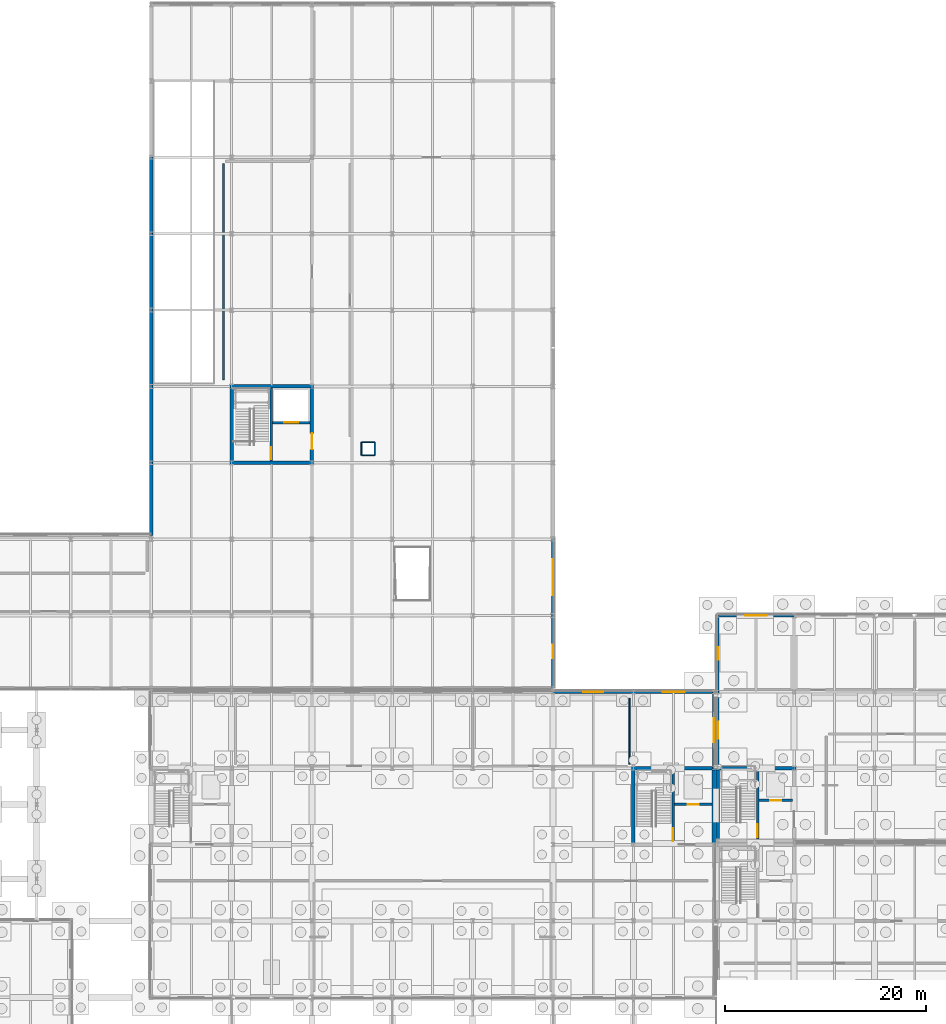
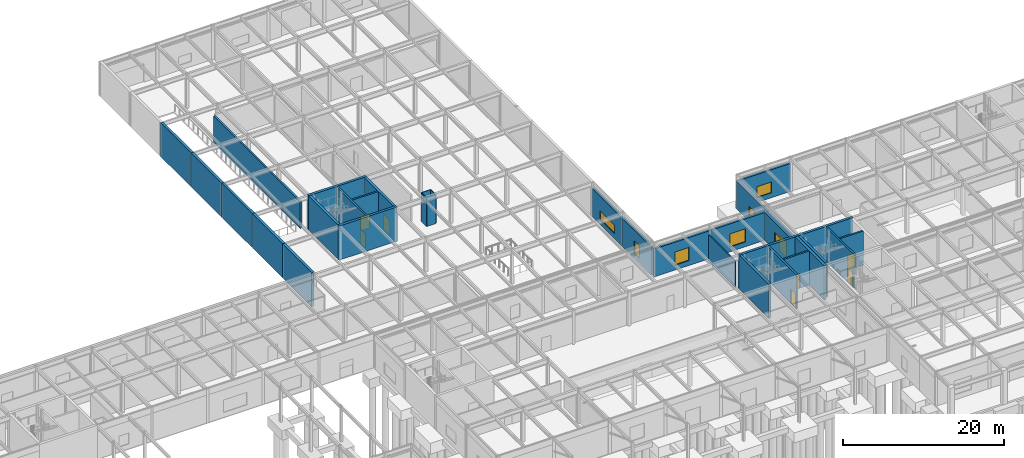
# One storey, part 45 of 62: 34 walls, 9 doors, 6 windows, 15 openings.
"""IFC4 building model written with IfcOpenShell, lengths in metres."""

from ifc_helpers import new_model, si_unit, direction, frame, frame_2d, origin, place, context, subcontext, project, spatial, rectangle, extrude, material, layer, layer_set, type_object, element, fill, save


model = new_model("IFC4")

# Units and contexts
model_context = context("Model", 3, precision=1e-05, world=origin(), true_north=direction((0.0, 1.0)))
body_context = subcontext(model_context, "Body", "Model", "MODEL_VIEW")
ifc_project = project(units=[si_unit("LENGTHUNIT", "METRE"), si_unit("AREAUNIT", "SQUARE_METRE"), si_unit("VOLUMEUNIT", "CUBIC_METRE"), si_unit("PLANEANGLEUNIT", "RADIAN"), si_unit("MASSUNIT", "GRAM", prefix="KILO")], contexts=[model_context])

# Site, building, storey
site_placement = place(None, origin())
site = spatial("IfcSite", under=ifc_project, at=site_placement, CompositionType="ELEMENT")
building_placement = place(site_placement, origin())
building = spatial("IfcBuilding", under=site, at=building_placement, Name="Zulena Civic Courthouse", CompositionType="ELEMENT")
storey_placement = place(building_placement, origin())
storey = spatial("IfcBuildingStorey", under=building, at=storey_placement, Name="L00", CompositionType="ELEMENT", Elevation=0.0)

# Wall, opening, door
ifc_material_1 = material(Name="Concrete C40/50", Category="concrete")
ifc_layer_1 = layer(ifc_material_1, 0.25)
ifc_layer_set_1 = layer_set([ifc_layer_1], Name="Concrete C40/50")
wall_type_1 = type_object("IfcWallType", Name="CoreShearWall_RC250", PredefinedType="SHEAR", material=ifc_layer_set_1)
wall_1_placement = place(storey_placement, frame((128.35009765625, 30.97509765625, 0.0), z_axis=(0.0, 0.0, 1.0), x_axis=(0.0, 1.0, 0.0)))
wall_1 = element("IfcWall", 1, at=wall_1_placement, inside=storey, type_object=wall_type_1, Name="cwall:K3A:L00:DIV", PredefinedType="SHEAR", context=body_context, shape_type="SweptSolid", body=[
    extrude(rectangle(XDim=6.849853515625, YDim=0.25, at=frame_2d((3.4248046875, 0.0))), origin(), (0.0, 0.0, 1.0), 5.18994140625),
])
opening_1_placement = place(wall_1_placement, frame((0.179931640625, 0.0, 0.0)))
opening_1 = element("IfcOpeningElement", 2, at=opening_1_placement, cuts=wall_1, Name="Opening ID06", PredefinedType="OPENING", context=body_context, shape_type="SweptSolid", body=[
    extrude(rectangle(XDim=1.25, YDim=2.199951171875, at=frame_2d((0.625, 1.10009765625))), frame((0.0, 0.135009765625, 0.0), z_axis=(0.0, -1.0, 0.0), x_axis=(1.0, 0.0, 0.0)), (0.0, 0.0, 1.0), 0.27001953125),
])
ifc_material_2 = material(Name="Fire-rated galvanised steel ASTM A653 Grade 50", Category="steel")
door_type_1 = type_object("IfcDoorType", Name="IntDoor_Stair_1250x2200", OperationType="NOTDEFINED", PredefinedType="DOOR", material=ifc_material_2)
door_1_placement = place(opening_1_placement, origin())
door_1 = element("IfcDoor", 3, at=door_1_placement, inside=storey, type_object=door_type_1, Name="door:stair:K3A:L00", OperationType="SINGLE_SWING_LEFT", OverallHeight=2.199951171875, OverallWidth=1.25, PredefinedType="DOOR", context=body_context, shape_type="SweptSolid", body=[
    extrude(rectangle(XDim=1.25, YDim=2.199951171875, at=frame_2d((0.625, 1.10009765625))), frame((0.0, 0.02490234375, 0.0), z_axis=(0.0, -1.0, 0.0), x_axis=(1.0, 0.0, 0.0)), (0.0, 0.0, 1.0), 0.050048828125),
])
fill(opening_1, door_1)

wall_2_placement = place(storey_placement, frame((128.47509765625, 34.800048828125, 0.0), z_axis=(0.0, 0.0, 1.0), x_axis=(1.0, 0.0, 0.0)))
wall_2 = element("IfcWall", 4, at=wall_2_placement, inside=storey, type_object=wall_type_1, Name="cwall:K3A:L00:SHF", PredefinedType="SHEAR", context=body_context, shape_type="SweptSolid", body=[
    extrude(rectangle(XDim=3.349853515625, YDim=0.25, at=frame_2d((1.6748046875, 0.0))), origin(), (0.0, 0.0, 1.0), 5.18994140625),
])
opening_2_placement = place(wall_2_placement, frame((1.1201171875, 0.0, 0.0)))
opening_2 = element("IfcOpeningElement", 5, at=opening_2_placement, cuts=wall_2, Name="Opening LD02", PredefinedType="OPENING", context=body_context, shape_type="SweptSolid", body=[
    extrude(rectangle(XDim=1.10009765625, YDim=2.199951171875, at=frame_2d((0.550048828125, 1.10009765625))), frame((0.0, 0.135009765625, 0.0), z_axis=(0.0, -1.0, 0.0), x_axis=(1.0, 0.0, 0.0)), (0.0, 0.0, 1.0), 0.27001953125),
])
door_type_2 = type_object("IfcDoorType", Name="LiftLandingDoor_Pass_1100x2200", OperationType="SLIDING_TO_LEFT", PredefinedType="DOOR", material=ifc_material_2)
door_2_placement = place(opening_2_placement, origin())
door_2 = element("IfcDoor", 6, at=door_2_placement, inside=storey, type_object=door_type_2, Name="door:ld:PL-02:L00", OperationType="SLIDING_TO_LEFT", OverallHeight=2.199951171875, OverallWidth=1.10009765625, PredefinedType="DOOR", context=body_context, shape_type="SweptSolid", body=[
    extrude(rectangle(XDim=1.10009765625, YDim=2.199951171875, at=frame_2d((0.550048828125, 1.10009765625))), frame((0.0, 0.02490234375, 0.0), z_axis=(0.0, -1.0, 0.0), x_axis=(1.0, 0.0, 0.0)), (0.0, 0.0, 1.0), 0.050048828125),
])
fill(opening_2, door_2)

wall_3_placement = place(storey_placement, frame((119.949951171875, 30.574951171875, 0.0), z_axis=(0.0, 0.0, 1.0), x_axis=(0.0, 1.0, 0.0)))
wall_3 = element("IfcWall", 7, at=wall_3_placement, inside=storey, type_object=wall_type_1, Name="cwall:K4B:L00:DIV", PredefinedType="SHEAR", context=body_context, shape_type="SweptSolid", body=[
    extrude(rectangle(XDim=7.25, YDim=0.25, at=frame_2d((3.625, 0.0))), origin(), (0.0, 0.0, 1.0), 5.18994140625),
])
opening_3_placement = place(wall_3_placement, frame((0.179931640625, 0.0, 0.0)))
opening_3 = element("IfcOpeningElement", 8, at=opening_3_placement, cuts=wall_3, Name="Opening ID06", PredefinedType="OPENING", context=body_context, shape_type="SweptSolid", body=[
    extrude(rectangle(XDim=1.25, YDim=2.199951171875, at=frame_2d((0.625, 1.10009765625))), frame((0.0, 0.135009765625, 0.0), z_axis=(0.0, -1.0, 0.0), x_axis=(1.0, 0.0, 0.0)), (0.0, 0.0, 1.0), 0.27001953125),
])
door_3_placement = place(opening_3_placement, origin())
door_3 = element("IfcDoor", 9, at=door_3_placement, inside=storey, type_object=door_type_1, Name="door:stair:K4B:L00", OperationType="SINGLE_SWING_RIGHT", OverallHeight=2.199951171875, OverallWidth=1.25, PredefinedType="DOOR", context=body_context, shape_type="SweptSolid", body=[
    extrude(rectangle(XDim=1.25, YDim=2.199951171875, at=frame_2d((0.625, 1.10009765625))), frame((0.0, 0.02490234375, 0.0), z_axis=(0.0, -1.0, 0.0), x_axis=(1.0, 0.0, 0.0)), (0.0, 0.0, 1.0), 0.050048828125),
])
fill(opening_3, door_3)

wall_4_placement = place(storey_placement, frame((120.074951171875, 34.39990234375, 0.0), z_axis=(0.0, 0.0, 1.0), x_axis=(1.0, 0.0, 0.0)))
wall_4 = element("IfcWall", 10, at=wall_4_placement, inside=storey, type_object=wall_type_1, Name="cwall:K4B:L00:SHF", PredefinedType="SHEAR", context=body_context, shape_type="SweptSolid", body=[
    extrude(rectangle(XDim=3.75, YDim=0.25, at=frame_2d((1.875, 0.0))), origin(), (0.0, 0.0, 1.0), 5.18994140625),
])
opening_4_placement = place(wall_4_placement, frame((1.320068359375, 0.0, 0.0)))
opening_4 = element("IfcOpeningElement", 11, at=opening_4_placement, cuts=wall_4, Name="Opening LD02", PredefinedType="OPENING", context=body_context, shape_type="SweptSolid", body=[
    extrude(rectangle(XDim=1.10009765625, YDim=2.199951171875, at=frame_2d((0.550048828125, 1.10009765625))), frame((0.0, 0.135009765625, 0.0), z_axis=(0.0, -1.0, 0.0), x_axis=(1.0, 0.0, 0.0)), (0.0, 0.0, 1.0), 0.27001953125),
])
door_4_placement = place(opening_4_placement, origin())
door_4 = element("IfcDoor", 12, at=door_4_placement, inside=storey, type_object=door_type_2, Name="door:ld:PL-04:L00", OperationType="SLIDING_TO_LEFT", OverallHeight=2.199951171875, OverallWidth=1.10009765625, PredefinedType="DOOR", context=body_context, shape_type="SweptSolid", body=[
    extrude(rectangle(XDim=1.10009765625, YDim=2.199951171875, at=frame_2d((0.550048828125, 1.10009765625))), frame((0.0, 0.02490234375, 0.0), z_axis=(0.0, -1.0, 0.0), x_axis=(1.0, 0.0, 0.0)), (0.0, 0.0, 1.0), 0.050048828125),
])
fill(opening_4, door_4)

wall_5_placement = place(storey_placement, frame((79.949951171875, 68.574951171875, 0.0), z_axis=(0.0, 0.0, 1.0), x_axis=(0.0, 1.0, 0.0)))
wall_5 = element("IfcWall", 13, at=wall_5_placement, inside=storey, type_object=wall_type_1, Name="cwall:K5B:L00:DIV", PredefinedType="SHEAR", context=body_context, shape_type="SweptSolid", body=[
    extrude(rectangle(XDim=7.25, YDim=0.25, at=frame_2d((3.625, 0.0))), origin(), (0.0, 0.0, 1.0), 5.18994140625),
])
opening_5_placement = place(wall_5_placement, frame((0.179931640625, 0.0, 0.0)))
opening_5 = element("IfcOpeningElement", 14, at=opening_5_placement, cuts=wall_5, Name="Opening ID07", PredefinedType="OPENING", context=body_context, shape_type="SweptSolid", body=[
    extrude(rectangle(XDim=1.199951171875, YDim=2.199951171875, at=frame_2d((0.60009765625, 1.10009765625))), frame((0.0, 0.135009765625, 0.0), z_axis=(0.0, -1.0, 0.0), x_axis=(1.0, 0.0, 0.0)), (0.0, 0.0, 1.0), 0.27001953125),
])
door_type_3 = type_object("IfcDoorType", Name="IntDoor_Stair_1200x2200", OperationType="NOTDEFINED", PredefinedType="DOOR", material=ifc_material_2)
door_5_placement = place(opening_5_placement, origin())
door_5 = element("IfcDoor", 15, at=door_5_placement, inside=storey, type_object=door_type_3, Name="door:stair:K5B:L00", OperationType="SINGLE_SWING_LEFT", OverallHeight=2.199951171875, OverallWidth=1.199951171875, PredefinedType="DOOR", context=body_context, shape_type="SweptSolid", body=[
    extrude(rectangle(XDim=1.199951171875, YDim=2.199951171875, at=frame_2d((0.60009765625, 1.10009765625))), frame((0.0, 0.02490234375, 0.0), z_axis=(0.0, -1.0, 0.0), x_axis=(1.0, 0.0, 0.0)), (0.0, 0.0, 1.0), 0.050048828125),
])
fill(opening_5, door_5)

wall_6_placement = place(storey_placement, frame((80.074951171875, 72.39990234375, 0.0), z_axis=(0.0, 0.0, 1.0), x_axis=(1.0, 0.0, 0.0)))
wall_6 = element("IfcWall", 16, at=wall_6_placement, inside=storey, type_object=wall_type_1, Name="cwall:K5B:L00:SHF", PredefinedType="SHEAR", context=body_context, shape_type="SweptSolid", body=[
    extrude(rectangle(XDim=3.75, YDim=0.25, at=frame_2d((1.875, 0.0))), origin(), (0.0, 0.0, 1.0), 5.18994140625),
])
opening_6_placement = place(wall_6_placement, frame((1.195068359375, 0.0, 0.0)))
opening_6 = element("IfcOpeningElement", 17, at=opening_6_placement, cuts=wall_6, Name="Opening LD04", PredefinedType="OPENING", context=body_context, shape_type="SweptSolid", body=[
    extrude(rectangle(XDim=1.35009765625, YDim=2.199951171875, at=frame_2d((0.675048828125, 1.10009765625))), frame((0.0, 0.135009765625, 0.0), z_axis=(0.0, -1.0, 0.0), x_axis=(1.0, 0.0, 0.0)), (0.0, 0.0, 1.0), 0.27001953125),
])
door_type_4 = type_object("IfcDoorType", Name="LiftLandingDoor_Goods_1350x2300", OperationType="DOUBLE_DOOR_SLIDING", PredefinedType="DOOR", material=ifc_material_2)
door_6_placement = place(opening_6_placement, origin())
door_6 = element("IfcDoor", 18, at=door_6_placement, inside=storey, type_object=door_type_4, Name="door:ld:CL-02:L00", OperationType="DOUBLE_DOOR_SLIDING", OverallHeight=2.199951171875, OverallWidth=1.35009765625, PredefinedType="DOOR", context=body_context, shape_type="SweptSolid", body=[
    extrude(rectangle(XDim=1.35009765625, YDim=2.199951171875, at=frame_2d((0.675048828125, 1.10009765625))), frame((0.0, 0.02490234375, 0.0), z_axis=(0.0, -1.0, 0.0), x_axis=(1.0, 0.0, 0.0)), (0.0, 0.0, 1.0), 0.050048828125),
])
fill(opening_6, door_6)

# Walls
ifc_layer_2 = layer(ifc_material_1, 0.35009765625)
ifc_layer_set_2 = layer_set([ifc_layer_2], Name="Concrete C40/50")
wall_type_2 = type_object("IfcWallType", Name="CoreShearWall_RC350", PredefinedType="SHEAR", material=ifc_layer_set_2)
wall_7_placement = place(storey_placement, frame((124.22509765625, 38.0, 0.0), z_axis=(0.0, 0.0, 1.0), x_axis=(1.0, 0.0, 0.0)))
element("IfcWall", 19, at=wall_7_placement, inside=storey, type_object=wall_type_2, Name="cwall:K3A:L00:N", PredefinedType="SHEAR", context=body_context, shape_type="SweptSolid", body=[
    extrude(rectangle(XDim=7.949951171875, YDim=0.35009765625, at=frame_2d((3.97509765625, 0.0))), origin(), (0.0, 0.0, 1.0), 5.18994140625),
])
wall_8_placement = place(storey_placement, frame((124.39990234375, 30.97509765625, 0.0), z_axis=(0.0, 0.0, 1.0), x_axis=(0.0, 1.0, 0.0)))
element("IfcWall", 20, at=wall_8_placement, inside=storey, type_object=wall_type_2, Name="cwall:K3A:L00:W", PredefinedType="SHEAR", context=body_context, shape_type="SweptSolid", body=[
    extrude(rectangle(XDim=6.849853515625, YDim=0.35009765625, at=frame_2d((3.4248046875, 0.0))), origin(), (0.0, 0.0, 1.0), 5.18994140625),
])
wall_9_placement = place(storey_placement, frame((115.824951171875, 38.0, 0.0), z_axis=(0.0, 0.0, 1.0), x_axis=(1.0, 0.0, 0.0)))
element("IfcWall", 21, at=wall_9_placement, inside=storey, type_object=wall_type_2, Name="cwall:K4B:L00:N", PredefinedType="SHEAR", context=body_context, shape_type="SweptSolid", body=[
    extrude(rectangle(XDim=8.35009765625, YDim=0.35009765625, at=frame_2d((4.175048828125, 0.0))), origin(), (0.0, 0.0, 1.0), 5.18994140625),
])
for number, where, z_axis, x_axis, name in (
    (22, (116.0, 30.574951171875, 0.0), (0.0, 0.0, 1.0), (0.0, 1.0, 0.0), "cwall:K4B:L00:W"),
    (23, (124.0, 30.574951171875, 0.0), (0.0, 0.0, 1.0), (0.0, 1.0, 0.0), "cwall:K4B:L00:E"),
):
    element("IfcWall", number, at=place(storey_placement, frame(where, z_axis=z_axis, x_axis=x_axis)), inside=storey, type_object=wall_type_2, Name=name, PredefinedType="SHEAR", context=body_context, shape_type="SweptSolid", body=[
        extrude(rectangle(XDim=7.25, YDim=0.35009765625, at=frame_2d((3.625, 0.0))), origin(), (0.0, 0.0, 1.0), 5.18994140625),
    ])
for number, where, z_axis, x_axis, name in (
    (24, (75.824951171875, 68.39990234375, 0.0), (0.0, 0.0, 1.0), (1.0, 0.0, 0.0), "cwall:K5B:L00:S"),
    (25, (75.824951171875, 76.0, 0.0), (0.0, 0.0, 1.0), (1.0, 0.0, 0.0), "cwall:K5B:L00:N"),
):
    element("IfcWall", number, at=place(storey_placement, frame(where, z_axis=z_axis, x_axis=x_axis)), inside=storey, type_object=wall_type_2, Name=name, PredefinedType="SHEAR", context=body_context, shape_type="SweptSolid", body=[
        extrude(rectangle(XDim=8.35009765625, YDim=0.35009765625, at=frame_2d((4.175048828125, 0.0))), origin(), (0.0, 0.0, 1.0), 5.18994140625),
    ])
wall_10_placement = place(storey_placement, frame((76.0, 68.574951171875, 0.0), z_axis=(0.0, 0.0, 1.0), x_axis=(0.0, 1.0, 0.0)))
element("IfcWall", 26, at=wall_10_placement, inside=storey, type_object=wall_type_2, Name="cwall:K5B:L00:W", PredefinedType="SHEAR", context=body_context, shape_type="SweptSolid", body=[
    extrude(rectangle(XDim=7.25, YDim=0.35009765625, at=frame_2d((3.625, 0.0))), origin(), (0.0, 0.0, 1.0), 5.18994140625),
])

# Wall, opening, door
wall_11_placement = place(storey_placement, frame((84.0, 68.574951171875, 0.0), z_axis=(0.0, 0.0, 1.0), x_axis=(0.0, 1.0, 0.0)))
wall_11 = element("IfcWall", 27, at=wall_11_placement, inside=storey, type_object=wall_type_2, Name="cwall:K5B:L00:E", PredefinedType="SHEAR", context=body_context, shape_type="SweptSolid", body=[
    extrude(rectangle(XDim=7.25, YDim=0.35009765625, at=frame_2d((3.625, 0.0))), origin(), (0.0, 0.0, 1.0), 5.18994140625),
])
opening_7_placement = place(wall_11_placement, frame((1.14990234375, 0.0, 0.0)))
opening_7 = element("IfcOpeningElement", 28, at=opening_7_placement, cuts=wall_11, Name="Opening ID04", PredefinedType="OPENING", context=body_context, shape_type="SweptSolid", body=[
    extrude(rectangle(XDim=1.60009765625, YDim=2.35009765625, at=frame_2d((0.800048828125, 1.175048828125))), frame((0.0, 0.18505859375, 0.0), z_axis=(0.0, -1.0, 0.0), x_axis=(1.0, 0.0, 0.0)), (0.0, 0.0, 1.0), 0.3701171875),
])
ifc_material_3 = material(Name="Solid-core acoustic hardwood timber", Category="wood")
door_type_5 = type_object("IfcDoorType", Name="IntDoor_CourtPublic_1600x2350", OperationType="DOUBLE_DOOR_SINGLE_SWING", PredefinedType="DOOR", material=ifc_material_3)
door_7_placement = place(opening_7_placement, origin())
door_7 = element("IfcDoor", 29, at=door_7_placement, inside=storey, type_object=door_type_5, Name="door:corelob:K5B:L00", OperationType="DOUBLE_DOOR_SINGLE_SWING", OverallHeight=2.35009765625, OverallWidth=1.60009765625, PredefinedType="DOOR", context=body_context, shape_type="SweptSolid", body=[
    extrude(rectangle(XDim=1.60009765625, YDim=2.35009765625, at=frame_2d((0.800048828125, 1.175048828125))), frame((0.0, 0.02490234375, 0.0), z_axis=(0.0, -1.0, 0.0), x_axis=(1.0, 0.0, 0.0)), (0.0, 0.0, 1.0), 0.050048828125),
])
fill(opening_7, door_7)

# Wall, opening, window
ifc_material_4 = material(Name="Buff architectural precast concrete C40/50", Category="concrete")
ifc_layer_3 = layer(ifc_material_4, 0.264892578125)
ifc_layer_set_3 = layer_set([ifc_layer_3], Name="Buff architectural precast concrete C40/50")
wall_type_3 = type_object("IfcWallType", Name="ExtWall_BuffPrecast_265", PredefinedType="STANDARD", material=ifc_layer_set_3)
wall_12_placement = place(storey_placement, frame((108.0, 60.820068359375, 0.0), z_axis=(0.0, 0.0, 1.0), x_axis=(0.0, -1.0, 0.0)))
wall_12 = element("IfcWall", 30, at=wall_12_placement, inside=storey, type_object=wall_type_3, Name="ewall:V5:L00:4:7", PredefinedType="STANDARD", context=body_context, shape_type="SweptSolid", body=[
    extrude(rectangle(XDim=7.64013671875, YDim=0.264892578125, at=frame_2d((3.820068359375, 0.0))), origin(), (0.0, 0.0, 1.0), 4.25),
])
opening_8_placement = place(wall_12_placement, frame((2.02001953125, 0.0, 0.75)))
opening_8 = element("IfcOpeningElement", 31, at=opening_8_placement, cuts=wall_12, Name="Opening WN34", PredefinedType="OPENING", context=body_context, shape_type="SweptSolid", body=[
    extrude(rectangle(XDim=3.60009765625, YDim=1.300048828125, at=frame_2d((1.800048828125, 0.64990234375))), frame((0.0, 0.142333984375, 0.0), z_axis=(0.0, -1.0, 0.0), x_axis=(1.0, 0.0, 0.0)), (0.0, 0.0, 1.0), 0.284912109375),
])
ifc_material_5 = material(Name="Double-silver low-E laminated solar-control glass", Category="glass")
window_type_1 = type_object("IfcWindowType", Name="Win_3600x1300", PartitioningType="DOUBLE_PANEL_VERTICAL", PredefinedType="WINDOW", material=ifc_material_5)
window_1_placement = place(opening_8_placement, origin())
window_1 = element("IfcWindow", 32, at=window_1_placement, inside=storey, type_object=window_type_1, Name="win:V5:L00:4:7", OverallHeight=1.300048828125, OverallWidth=3.60009765625, PartitioningType="SINGLE_PANEL", PredefinedType="WINDOW", context=body_context, shape_type="SweptSolid", body=[
    extrude(rectangle(XDim=3.60009765625, YDim=1.300048828125, at=frame_2d((1.800048828125, 0.64990234375))), frame((0.0, 0.030029296875, 0.0), z_axis=(0.0, -1.0, 0.0), x_axis=(1.0, 0.0, 0.0)), (0.0, 0.0, 1.0), 0.06005859375),
])
fill(opening_8, window_1)

wall_13_placement = place(storey_placement, frame((108.0, 53.219970703125, 0.0), z_axis=(0.0, 0.0, 1.0), x_axis=(0.0, -1.0, 0.0)))
wall_13 = element("IfcWall", 33, at=wall_13_placement, inside=storey, type_object=wall_type_3, Name="ewall:V5:L00:4:8", PredefinedType="STANDARD", context=body_context, shape_type="SweptSolid", body=[
    extrude(rectangle(XDim=7.239990234375, YDim=0.264892578125, at=frame_2d((3.6201171875, 0.0))), origin(), (0.0, 0.0, 1.0), 4.25),
])
opening_9_placement = place(wall_13_placement, frame((2.945068359375, 0.0, 0.75)))
opening_9 = element("IfcOpeningElement", 34, at=opening_9_placement, cuts=wall_13, Name="Opening WN35", PredefinedType="OPENING", context=body_context, shape_type="SweptSolid", body=[
    extrude(rectangle(XDim=1.35009765625, YDim=1.89990234375, at=frame_2d((0.675048828125, 0.949951171875))), frame((0.0, 0.142333984375, 0.0), z_axis=(0.0, -1.0, 0.0), x_axis=(1.0, 0.0, 0.0)), (0.0, 0.0, 1.0), 0.284912109375),
])
window_type_2 = type_object("IfcWindowType", Name="Win_1350x1900", PartitioningType="SINGLE_PANEL", PredefinedType="WINDOW", material=ifc_material_5)
window_2_placement = place(opening_9_placement, origin())
window_2 = element("IfcWindow", 35, at=window_2_placement, inside=storey, type_object=window_type_2, Name="win:V5:L00:4:8", OverallHeight=1.89990234375, OverallWidth=1.35009765625, PartitioningType="SINGLE_PANEL", PredefinedType="WINDOW", context=body_context, shape_type="SweptSolid", body=[
    extrude(rectangle(XDim=1.35009765625, YDim=1.89990234375, at=frame_2d((0.675048828125, 0.949951171875))), frame((0.0, 0.030029296875, 0.0), z_axis=(0.0, -1.0, 0.0), x_axis=(1.0, 0.0, 0.0)), (0.0, 0.0, 1.0), 0.06005859375),
])
fill(opening_9, window_2)

# Walls
ifc_layer_4 = layer(ifc_material_1, 0.360107421875)
ifc_layer_set_4 = layer_set([ifc_layer_4], Name="Concrete C40/50")
wall_type_4 = type_object("IfcWallType", Name="ExtWall_PartyWall_360", PredefinedType="STANDARD", material=ifc_layer_set_4)
wall_14_placement = place(storey_placement, frame((68.0, 61.179931640625, 0.0), z_axis=(0.0, 0.0, 1.0), x_axis=(0.0, 1.0, 0.0)))
element("IfcWall", 36, at=wall_14_placement, inside=storey, type_object=wall_type_4, Name="ewall:V5:L00:2:0", PredefinedType="STANDARD", context=body_context, shape_type="SweptSolid", body=[
    extrude(rectangle(XDim=7.239990234375, YDim=0.360107421875, at=frame_2d((3.6201171875, 0.0))), origin(), (0.0, 0.0, 1.0), 5.18994140625),
])
for number, where, z_axis, x_axis, name in (
    (37, (68.0, 68.3798828125, 0.0), (0.0, 0.0, 1.0), (0.0, 1.0, 0.0), "ewall:V5:L00:2:1"),
    (38, (68.0, 75.97998046875, 0.0), (0.0, 0.0, 1.0), (0.0, 1.0, 0.0), "ewall:V5:L00:2:2"),
):
    element("IfcWall", number, at=place(storey_placement, frame(where, z_axis=z_axis, x_axis=x_axis)), inside=storey, type_object=wall_type_4, Name=name, PredefinedType="STANDARD", context=body_context, shape_type="SweptSolid", body=[
        extrude(rectangle(XDim=7.64013671875, YDim=0.360107421875, at=frame_2d((3.820068359375, 0.0))), origin(), (0.0, 0.0, 1.0), 5.18994140625),
    ])
wall_15_placement = place(storey_placement, frame((68.0, 83.580078125, 0.0), z_axis=(0.0, 0.0, 1.0), x_axis=(0.0, 1.0, 0.0)))
element("IfcWall", 39, at=wall_15_placement, inside=storey, type_object=wall_type_4, Name="ewall:V5:L00:2:3", PredefinedType="STANDARD", context=body_context, shape_type="SweptSolid", body=[
    extrude(rectangle(XDim=7.639892578125, YDim=0.360107421875, at=frame_2d((3.81982421875, 0.0))), origin(), (0.0, 0.0, 1.0), 5.18994140625),
])
wall_16_placement = place(storey_placement, frame((68.0, 91.179931640625, 0.0), z_axis=(0.0, 0.0, 1.0), x_axis=(0.0, 1.0, 0.0)))
element("IfcWall", 40, at=wall_16_placement, inside=storey, type_object=wall_type_4, Name="ewall:V5:L00:2:4", PredefinedType="STANDARD", context=body_context, shape_type="SweptSolid", body=[
    extrude(rectangle(XDim=7.64013671875, YDim=0.360107421875, at=frame_2d((3.820068359375, 0.0))), origin(), (0.0, 0.0, 1.0), 5.18994140625),
])

# Wall, opening, door
ifc_material_6 = material(Name="Travertine-cream architectural precast concrete C40/50", Category="masonry")
ifc_layer_5 = layer(ifc_material_6, 0.280029296875)
ifc_layer_set_5 = layer_set([ifc_layer_5], Name="Travertine-cream architectural precast concrete C40/50")
wall_type_5 = type_object("IfcWallType", Name="ExtWall_TravPrecast_280", PredefinedType="STANDARD", material=ifc_layer_set_5)
wall_17_placement = place(storey_placement, frame((124.39990234375, 37.97998046875, 0.0), z_axis=(0.0, 0.0, 1.0), x_axis=(0.0, 1.0, 0.0)))
wall_17 = element("IfcWall", 41, at=wall_17_placement, inside=storey, type_object=wall_type_5, Name="ewall:V3:L00:0:1", PredefinedType="STANDARD", context=body_context, shape_type="SweptSolid", body=[
    extrude(rectangle(XDim=7.64013671875, YDim=0.280029296875, at=frame_2d((3.820068359375, 0.0))), origin(), (0.0, 0.0, 1.0), 4.25),
])
opening_10_placement = place(wall_17_placement, frame((2.969970703125, 0.0, 0.0)))
opening_10 = element("IfcOpeningElement", 42, at=opening_10_placement, cuts=wall_17, Name="Opening ED05", PredefinedType="OPENING", context=body_context, shape_type="SweptSolid", body=[
    extrude(rectangle(XDim=1.699951171875, YDim=2.35009765625, at=frame_2d((0.85009765625, 1.175048828125))), frame((0.0, 0.14990234375, 0.0), z_axis=(0.0, -1.0, 0.0), x_axis=(1.0, 0.0, 0.0)), (0.0, 0.0, 1.0), 0.300048828125),
])
ifc_material_7 = material(Name="Galvanised architectural steel ASTM A653 Grade 50", Category="steel")
door_type_6 = type_object("IfcDoorType", Name="ExtDoor_ExitDouble_1700x2350", OperationType="DOUBLE_DOOR_SINGLE_SWING", PredefinedType="DOOR", material=ifc_material_7)
door_8_placement = place(opening_10_placement, origin())
door_8 = element("IfcDoor", 43, at=door_8_placement, inside=storey, type_object=door_type_6, Name="door:ext:V3:L00:0:1", OperationType="DOUBLE_DOOR_SINGLE_SWING", OverallHeight=2.35009765625, OverallWidth=1.699951171875, PredefinedType="DOOR", context=body_context, shape_type="SweptSolid", body=[
    extrude(rectangle(XDim=1.699951171875, YDim=2.35009765625, at=frame_2d((0.85009765625, 1.175048828125))), frame((0.0, 0.02490234375, 0.0), z_axis=(0.0, -1.0, 0.0), x_axis=(1.0, 0.0, 0.0)), (0.0, 0.0, 1.0), 0.050048828125),
])
fill(opening_10, door_8)

wall_18_placement = place(storey_placement, frame((124.39990234375, 45.580078125, 0.0), z_axis=(0.0, 0.0, 1.0), x_axis=(0.0, 1.0, 0.0)))
wall_18 = element("IfcWall", 44, at=wall_18_placement, inside=storey, type_object=wall_type_5, Name="ewall:V3:L00:0:2", PredefinedType="STANDARD", context=body_context, shape_type="SweptSolid", body=[
    extrude(rectangle(XDim=7.639892578125, YDim=0.280029296875, at=frame_2d((3.81982421875, 0.0))), origin(), (0.0, 0.0, 1.0), 4.25),
])
opening_11_placement = place(wall_18_placement, frame((3.195068359375, 0.0, 0.0)))
opening_11 = element("IfcOpeningElement", 45, at=opening_11_placement, cuts=wall_18, Name="Opening ED06", PredefinedType="OPENING", context=body_context, shape_type="SweptSolid", body=[
    extrude(rectangle(XDim=1.25, YDim=2.300048828125, at=frame_2d((0.625, 1.14990234375))), frame((0.0, 0.14990234375, 0.0), z_axis=(0.0, -1.0, 0.0), x_axis=(1.0, 0.0, 0.0)), (0.0, 0.0, 1.0), 0.300048828125),
])
door_type_7 = type_object("IfcDoorType", Name="ExtDoor_ExitSingle_1250x2300", OperationType="NOTDEFINED", PredefinedType="DOOR", material=ifc_material_7)
door_9_placement = place(opening_11_placement, origin())
door_9 = element("IfcDoor", 46, at=door_9_placement, inside=storey, type_object=door_type_7, Name="door:ext:V3:L00:0:2", OperationType="SINGLE_SWING_LEFT", OverallHeight=2.300048828125, OverallWidth=1.25, PredefinedType="DOOR", context=body_context, shape_type="SweptSolid", body=[
    extrude(rectangle(XDim=1.25, YDim=2.300048828125, at=frame_2d((0.625, 1.14990234375))), frame((0.0, 0.02490234375, 0.0), z_axis=(0.0, -1.0, 0.0), x_axis=(1.0, 0.0, 0.0)), (0.0, 0.0, 1.0), 0.050048828125),
])
fill(opening_11, door_9)

# Wall, opening, window
wall_19_placement = place(storey_placement, frame((124.3798828125, 53.199951171875, 0.0), z_axis=(0.0, 0.0, 1.0), x_axis=(1.0, 0.0, 0.0)))
wall_19 = element("IfcWall", 47, at=wall_19_placement, inside=storey, type_object=wall_type_5, Name="ewall:V3:L00:1:0", PredefinedType="STANDARD", context=body_context, shape_type="SweptSolid", body=[
    extrude(rectangle(XDim=7.64013671875, YDim=0.280029296875, at=frame_2d((3.820068359375, 0.0))), origin(), (0.0, 0.0, 1.0), 4.25),
])
opening_12_placement = place(wall_19_placement, frame((2.77001953125, 0.0, 0.75)))
opening_12 = element("IfcOpeningElement", 48, at=opening_12_placement, cuts=wall_19, Name="Opening WN44", PredefinedType="OPENING", context=body_context, shape_type="SweptSolid", body=[
    extrude(rectangle(XDim=2.10009765625, YDim=1.64990234375, at=frame_2d((1.050048828125, 0.824951171875))), frame((0.0, 0.14990234375, 0.0), z_axis=(0.0, -1.0, 0.0), x_axis=(1.0, 0.0, 0.0)), (0.0, 0.0, 1.0), 0.300048828125),
])
window_type_3 = type_object("IfcWindowType", Name="Win_2100x1650", PartitioningType="DOUBLE_PANEL_VERTICAL", PredefinedType="WINDOW", material=ifc_material_5)
window_3_placement = place(opening_12_placement, origin())
window_3 = element("IfcWindow", 49, at=window_3_placement, inside=storey, type_object=window_type_3, Name="win:V3:L00:1:0", OverallHeight=1.64990234375, OverallWidth=2.10009765625, PartitioningType="SINGLE_PANEL", PredefinedType="WINDOW", context=body_context, shape_type="SweptSolid", body=[
    extrude(rectangle(XDim=2.10009765625, YDim=1.64990234375, at=frame_2d((1.050048828125, 0.824951171875))), frame((0.0, 0.030029296875, 0.0), z_axis=(0.0, -1.0, 0.0), x_axis=(1.0, 0.0, 0.0)), (0.0, 0.0, 1.0), 0.06005859375),
])
fill(opening_12, window_3)

wall_20_placement = place(storey_placement, frame((107.97998046875, 45.60009765625, 0.0), z_axis=(0.0, 0.0, 1.0), x_axis=(1.0, 0.0, 0.0)))
wall_20 = element("IfcWall", 50, at=wall_20_placement, inside=storey, type_object=wall_type_5, Name="ewall:V4:L00:1:5", PredefinedType="STANDARD", context=body_context, shape_type="SweptSolid", body=[
    extrude(rectangle(XDim=8.0400390625, YDim=0.280029296875, at=frame_2d((4.02001953125, 0.0))), origin(), (0.0, 0.0, 1.0), 4.25),
])
opening_13_placement = place(wall_20_placement, frame((3.02001953125, 0.0, 0.75)))
opening_13 = element("IfcOpeningElement", 51, at=opening_13_placement, cuts=wall_20, Name="Opening WN04", PredefinedType="OPENING", context=body_context, shape_type="SweptSolid", body=[
    extrude(rectangle(XDim=2.0, YDim=2.0, at=frame_2d((1.0, 1.0))), frame((0.0, 0.14990234375, 0.0), z_axis=(0.0, -1.0, 0.0), x_axis=(1.0, 0.0, 0.0)), (0.0, 0.0, 1.0), 0.300048828125),
])
window_type_4 = type_object("IfcWindowType", Name="Win_2000x2000", PartitioningType="DOUBLE_PANEL_VERTICAL", PredefinedType="WINDOW", material=ifc_material_5)
window_4_placement = place(opening_13_placement, origin())
window_4 = element("IfcWindow", 52, at=window_4_placement, inside=storey, type_object=window_type_4, Name="win:V4:L00:1:5", OverallHeight=2.0, OverallWidth=2.0, PartitioningType="SINGLE_PANEL", PredefinedType="WINDOW", context=body_context, shape_type="SweptSolid", body=[
    extrude(rectangle(XDim=2.0, YDim=2.0, at=frame_2d((1.0, 1.0))), frame((0.0, 0.030029296875, 0.0), z_axis=(0.0, -1.0, 0.0), x_axis=(1.0, 0.0, 0.0)), (0.0, 0.0, 1.0), 0.06005859375),
])
fill(opening_13, window_4)

wall_21_placement = place(storey_placement, frame((115.97998046875, 45.60009765625, 0.0), z_axis=(0.0, 0.0, 1.0), x_axis=(1.0, 0.0, 0.0)))
wall_21 = element("IfcWall", 53, at=wall_21_placement, inside=storey, type_object=wall_type_5, Name="ewall:V4:L00:1:6", PredefinedType="STANDARD", context=body_context, shape_type="SweptSolid", body=[
    extrude(rectangle(XDim=8.0400390625, YDim=0.280029296875, at=frame_2d((4.02001953125, 0.0))), origin(), (0.0, 0.0, 1.0), 4.25),
])
opening_14_placement = place(wall_21_placement, frame((2.919921875, 0.0, 0.75)))
opening_14 = element("IfcOpeningElement", 54, at=opening_14_placement, cuts=wall_21, Name="Opening WN05", PredefinedType="OPENING", context=body_context, shape_type="SweptSolid", body=[
    extrude(rectangle(XDim=2.199951171875, YDim=2.0, at=frame_2d((1.10009765625, 1.0))), frame((0.0, 0.14990234375, 0.0), z_axis=(0.0, -1.0, 0.0), x_axis=(1.0, 0.0, 0.0)), (0.0, 0.0, 1.0), 0.300048828125),
])
window_type_5 = type_object("IfcWindowType", Name="Win_2200x2000", PartitioningType="DOUBLE_PANEL_VERTICAL", PredefinedType="WINDOW", material=ifc_material_5)
window_5_placement = place(opening_14_placement, origin())
window_5 = element("IfcWindow", 55, at=window_5_placement, inside=storey, type_object=window_type_5, Name="win:V4:L00:1:6", OverallHeight=2.0, OverallWidth=2.199951171875, PartitioningType="SINGLE_PANEL", PredefinedType="WINDOW", context=body_context, shape_type="SweptSolid", body=[
    extrude(rectangle(XDim=2.199951171875, YDim=2.0, at=frame_2d((1.10009765625, 1.0))), frame((0.0, 0.030029296875, 0.0), z_axis=(0.0, -1.0, 0.0), x_axis=(1.0, 0.0, 0.0)), (0.0, 0.0, 1.0), 0.06005859375),
])
fill(opening_14, window_5)

wall_22_placement = place(storey_placement, frame((124.0, 45.6201171875, 0.0), z_axis=(0.0, 0.0, 1.0), x_axis=(0.0, -1.0, 0.0)))
wall_22 = element("IfcWall", 56, at=wall_22_placement, inside=storey, type_object=wall_type_5, Name="ewall:V4:L00:2:0", PredefinedType="STANDARD", context=body_context, shape_type="SweptSolid", body=[
    extrude(rectangle(XDim=7.64013671875, YDim=0.280029296875, at=frame_2d((3.820068359375, 0.0))), origin(), (0.0, 0.0, 1.0), 4.25),
])
opening_15_placement = place(wall_22_placement, frame((2.6201171875, 0.0, 0.75)))
opening_15 = element("IfcOpeningElement", 57, at=opening_15_placement, cuts=wall_22, Name="Opening WN06", PredefinedType="OPENING", context=body_context, shape_type="SweptSolid", body=[
    extrude(rectangle(XDim=2.39990234375, YDim=2.0, at=frame_2d((1.199951171875, 1.0))), frame((0.0, 0.14990234375, 0.0), z_axis=(0.0, -1.0, 0.0), x_axis=(1.0, 0.0, 0.0)), (0.0, 0.0, 1.0), 0.300048828125),
])
window_type_6 = type_object("IfcWindowType", Name="Win_2400x2000", PartitioningType="DOUBLE_PANEL_VERTICAL", PredefinedType="WINDOW", material=ifc_material_5)
window_6_placement = place(opening_15_placement, origin())
window_6 = element("IfcWindow", 58, at=window_6_placement, inside=storey, type_object=window_type_6, Name="win:V4:L00:2:0", OverallHeight=2.0, OverallWidth=2.39990234375, PartitioningType="SINGLE_PANEL", PredefinedType="WINDOW", context=body_context, shape_type="SweptSolid", body=[
    extrude(rectangle(XDim=2.39990234375, YDim=2.0, at=frame_2d((1.199951171875, 1.0))), frame((0.0, 0.030029296875, 0.0), z_axis=(0.0, -1.0, 0.0), x_axis=(1.0, 0.0, 0.0)), (0.0, 0.0, 1.0), 0.06005859375),
])
fill(opening_15, window_6)

# Walls
ifc_material_8 = material(Name="Insulated blockwork masonry ASTM C90", Category="masonry")
ifc_layer_6 = layer(ifc_material_8, 0.239990234375)
ifc_layer_set_6 = layer_set([ifc_layer_6], Name="Insulated blockwork masonry ASTM C90")
wall_type_6 = type_object("IfcWallType", Name="PartWall_Custody_240", PredefinedType="PARTITIONING", material=ifc_layer_set_6)
wall_23_placement = place(storey_placement, frame((75.199951171875, 76.6201171875, 0.0), z_axis=(0.0, 0.0, 1.0), x_axis=(0.0, 1.0, 0.0)))
element("IfcWall", 59, at=wall_23_placement, inside=storey, type_object=wall_type_6, Name="pwall:L00:375:3", PredefinedType="PARTITIONING", context=body_context, shape_type="SweptSolid", body=[
    extrude(rectangle(XDim=21.559814453125, YDim=0.239990234375, at=frame_2d((10.77978515625, 0.0))), origin(), (0.0, 0.0, 1.0), 4.050048828125),
])
ifc_layer_7 = layer(ifc_material_8, 0.114990234375)
ifc_layer_set_7 = layer_set([ifc_layer_7], Name="Insulated blockwork masonry ASTM C90")
wall_type_7 = type_object("IfcWallType", Name="PartWall_Riser_115", PredefinedType="PARTITIONING", material=ifc_layer_set_7)
for number, where, z_axis, x_axis, name in (
    (60, (88.93994140625, 69.139892578125, 0.0), (0.0, 0.0, 1.0), (1.0, 0.0, 0.0), "riser:RS-V5N:L00:0"),
    (61, (90.260009765625, 69.139892578125, 0.0), (0.0, 0.0, 1.0), (0.0, 1.0, 0.0), "riser:RS-V5N:L00:1"),
    (62, (90.260009765625, 70.4599609375, 0.0), (0.0, 0.0, 1.0), (-1.0, 0.0, 0.0), "riser:RS-V5N:L00:2"),
    (63, (88.93994140625, 70.4599609375, 0.0), (0.0, 0.0, 1.0), (0.0, -1.0, 0.0), "riser:RS-V5N:L00:3"),
):
    element("IfcWall", number, at=place(storey_placement, frame(where, z_axis=z_axis, x_axis=x_axis)), inside=storey, type_object=wall_type_7, Name=name, PredefinedType="PARTITIONING", context=body_context, shape_type="SweptSolid", body=[
        extrude(rectangle(XDim=1.320068359375, YDim=0.114990234375, at=frame_2d((0.66015625, 0.0))), origin(), (0.0, 0.0, 1.0), 4.35009765625),
    ])
ifc_layer_8 = layer(ifc_material_8, 0.1279296875)
ifc_layer_set_8 = layer_set([ifc_layer_8], Name="Insulated blockwork masonry ASTM C90")
wall_type_8 = type_object("IfcWallType", Name="PartWall_WetRoom_128", PredefinedType="PARTITIONING", material=ifc_layer_set_8)
wall_24_placement = place(storey_placement, frame((115.60009765625, 38.419921875, 0.0), z_axis=(0.0, 0.0, 1.0), x_axis=(0.0, 1.0, 0.0)))
element("IfcWall", 64, at=wall_24_placement, inside=storey, type_object=wall_type_8, Name="pwall:L00:235:1", PredefinedType="PARTITIONING", context=body_context, shape_type="SweptSolid", body=[
    extrude(rectangle(XDim=6.56005859375, YDim=0.1279296875, at=frame_2d((3.280029296875, 0.0))), origin(), (0.0, 0.0, 1.0), 4.050048828125),
])

save(model, "model.ifc")
